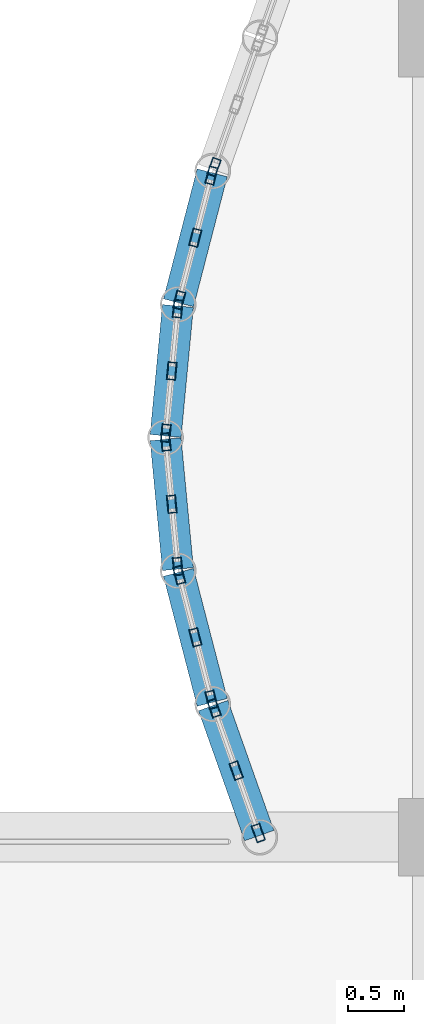
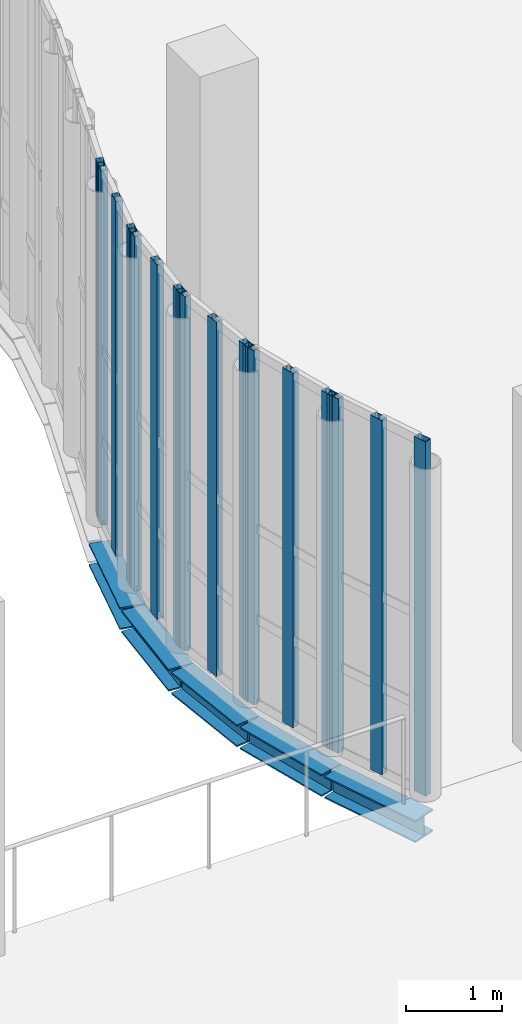
# One storey, part 19 of 108: 16 members, 5 beams, 6 elements without a shape of their own.
"""IFC4 building model written with IfcOpenShell, lengths in metres."""

from ifc_helpers import new_model, si_unit, direction, frame, origin, origin_2d, place, context, subcontext, project, spatial, hollow_rectangle, i_section, extrude, material, layer, layer_set, material_profile, profile_set, type_object, element, aggregate, save


model = new_model("IFC4")

# Units and contexts
model_context = context("Model", 3, precision=1e-05, world=origin(), true_north=direction((0.0, 1.0)))
body_context = subcontext(model_context, "Body", "Model", "MODEL_VIEW")
ifc_project = project(units=[si_unit("LENGTHUNIT", "METRE"), si_unit("AREAUNIT", "SQUARE_METRE"), si_unit("VOLUMEUNIT", "CUBIC_METRE"), si_unit("PLANEANGLEUNIT", "RADIAN"), si_unit("MASSUNIT", "GRAM", prefix="KILO"), si_unit("THERMODYNAMICTEMPERATUREUNIT", "KELVIN"), si_unit("POWERUNIT", "WATT")], contexts=[model_context])

# Site, building, storey
site_placement = place(None, origin())
site = spatial("IfcSite", under=ifc_project, at=site_placement, CompositionType="ELEMENT")
building_placement = place(site_placement, origin())
building = spatial("IfcBuilding", under=site, at=building_placement, Name="Kaldorven Railside Theatre", CompositionType="ELEMENT")
storey_placement = place(building_placement, frame((0.0, 0.0, 5.39990234375)))
storey = spatial("IfcBuildingStorey", under=building, at=storey_placement, Name="L01", CompositionType="ELEMENT", Elevation=5.39990234375)

# Beams
ifc_material_1 = material(Name="Steel S355", Category="steel")
ifc_material_profile_1 = material_profile(ifc_material_1, i_section(OverallWidth=0.280029296875, OverallDepth=0.280029296875, WebThickness=0.010498046875, FlangeThickness=0.01806640625, at=origin_2d()), Name="HEB 280")
ifc_profile_set_1 = profile_set([ifc_material_profile_1], Name="Steel S355")
beam_type = type_object("IfcBeamType", Name="BM-HEB280", PredefinedType="SPANDREL", material=ifc_profile_set_1)
beam_1_placement = place(storey_placement, frame((71.195068359375, 40.814208984375, -0.419921875), z_axis=(-0.333908952671, 0.942605331688, 0.0), x_axis=(-0.942605331688, -0.333908952671, 0.0)))
element("IfcBeam", 1, at=beam_1_placement, inside=storey, type_object=beam_type, Name="L01 Sinusoidal Flute Edge Spandrel FSB-217", PredefinedType="SPANDREL", context=body_context, shape_type="SweptSolid", body=[
    extrude(i_section(OverallWidth=0.280029296875, OverallDepth=0.280029296875, WebThickness=0.010498046875, FlangeThickness=0.01806640625, at=origin_2d()), origin(), (0.0, 0.0, 1.0), 1.242919921875),
])
beam_2_placement = place(storey_placement, frame((70.771240234375, 42.014404296875, -0.419921875), z_axis=(-0.250836097156, 0.96802957205, 0.0), x_axis=(-0.96802957205, -0.250836097156, 0.0)))
element("IfcBeam", 2, at=beam_2_placement, inside=storey, type_object=beam_type, Name="L01 Sinusoidal Flute Edge Spandrel FSB-218", PredefinedType="SPANDREL", context=body_context, shape_type="SweptSolid", body=[
    extrude(i_section(OverallWidth=0.280029296875, OverallDepth=0.280029296875, WebThickness=0.010498046875, FlangeThickness=0.01806640625, at=origin_2d()), origin(), (0.0, 0.0, 1.0), 1.209716796875),
])
beam_3_placement = place(storey_placement, frame((70.46240234375, 43.21484375, -0.419921875), z_axis=(-0.094505233873, 0.99552436473, 0.0), x_axis=(-0.99552436473, -0.094505233873, 0.0)))
element("IfcBeam", 3, at=beam_3_placement, inside=storey, type_object=beam_type, Name="L01 Sinusoidal Flute Edge Spandrel FSB-219", PredefinedType="SPANDREL", context=body_context, shape_type="SweptSolid", body=[
    extrude(i_section(OverallWidth=0.280029296875, OverallDepth=0.280029296875, WebThickness=0.010498046875, FlangeThickness=0.01806640625, at=origin_2d()), origin(), (0.0, 0.0, 1.0), 1.175537109375),
])
beam_4_placement = place(storey_placement, frame((70.351318359375, 44.414794921875, -0.419921875), z_axis=(0.09448569665, 0.995526219207, 0.0), x_axis=(-0.995526219207, 0.09448569665, 0.0)))
element("IfcBeam", 4, at=beam_4_placement, inside=storey, type_object=beam_type, Name="L01 Sinusoidal Flute Edge Spandrel FSB-220", PredefinedType="SPANDREL", context=body_context, shape_type="SweptSolid", body=[
    extrude(i_section(OverallWidth=0.280029296875, OverallDepth=0.280029296875, WebThickness=0.010498046875, FlangeThickness=0.01806640625, at=origin_2d()), origin(), (0.0, 0.0, 1.0), 1.17578125),
])
beam_5_placement = place(storey_placement, frame((70.4677734375, 45.614501953125, -0.419921875), z_axis=(0.250885106576, 0.968016871391, 0.0), x_axis=(-0.968016871391, 0.250885106576, 0.0)))
element("IfcBeam", 5, at=beam_5_placement, inside=storey, type_object=beam_type, Name="L01 Sinusoidal Flute Edge Spandrel FSB-221", PredefinedType="SPANDREL", context=body_context, shape_type="SweptSolid", body=[
    extrude(i_section(OverallWidth=0.280029296875, OverallDepth=0.280029296875, WebThickness=0.010498046875, FlangeThickness=0.01806640625, at=origin_2d()), origin(), (0.0, 0.0, 1.0), 1.20947265625),
])

# Curtain wall, members
ifc_material_2 = material(Name="Low-E laminated solar-control glass", Category="glass")
ifc_layer_1 = layer(ifc_material_2, 0.159912109375, Name="Low-E laminated solar-control glass")
ifc_layer_set_1 = layer_set([ifc_layer_1], Name="Low-E laminated solar-control glass")
curtain_wall_type_1 = type_object("IfcCurtainWallType", Name="CWT-01", PredefinedType="USERDEFINED", material=ifc_layer_set_1)
curtain_wall_1_placement = place(storey_placement, origin())
curtain_wall_1 = element("IfcCurtainWall", 6, at=curtain_wall_1_placement, inside=storey, type_object=curtain_wall_type_1, Name="Sinusoidal Fluted Curtain Wall CW-L01-W01", ObjectType="FLUTED GLAZING", PredefinedType="USERDEFINED")
ifc_material_3 = material(Name="Anodised bronze aluminium", Category="aluminium")
ifc_material_profile_2 = material_profile(ifc_material_3, hollow_rectangle(XDim=0.080078125, YDim=0.159912109375, WallThickness=0.00634765625, at=origin_2d()), Name="RHS 160x80x6.3")
ifc_profile_set_2 = profile_set([ifc_material_profile_2], Name="Anodised bronze aluminium")
member_type = type_object("IfcMemberType", Name="CWM-160", PredefinedType="MULLION", material=ifc_profile_set_2)
member_1_placement = place(storey_placement, frame((71.186767578125, 40.837646484375, 0.0), z_axis=(0.0, 0.0, 1.0), x_axis=(-0.942627225159, -0.33384714225, 0.0)))
member_1 = element("IfcMember", 7, at=member_1_placement, type_object=member_type, Name="CW-L01-W01 mullion 1", PredefinedType="MULLION", context=body_context, shape_type="SweptSolid", body=[
    extrude(hollow_rectangle(XDim=0.080078125, YDim=0.159912109375, WallThickness=0.00634765625, at=origin_2d()), origin(), (0.0, 0.0, 1.0), 4.5),
])
member_2_placement = place(storey_placement, frame((70.987548828125, 41.39990234375, 0.0), z_axis=(0.0, 0.0, 1.0), x_axis=(-0.942627225159, -0.33384714225, 0.0)))
member_2 = element("IfcMember", 8, at=member_2_placement, type_object=member_type, Name="CW-L01-W01 mullion 2", PredefinedType="MULLION", context=body_context, shape_type="SweptSolid", body=[
    extrude(hollow_rectangle(XDim=0.080078125, YDim=0.159912109375, WallThickness=0.00634765625, at=origin_2d()), origin(), (0.0, 0.0, 1.0), 4.5),
])
member_3_placement = place(storey_placement, frame((70.788330078125, 41.96240234375, 0.0), z_axis=(0.0, 0.0, 1.0), x_axis=(-0.942627225159, -0.33384714225, 0.0)))
member_3 = element("IfcMember", 9, at=member_3_placement, type_object=member_type, Name="CW-L01-W01 mullion 3", PredefinedType="MULLION", context=body_context, shape_type="SweptSolid", body=[
    extrude(hollow_rectangle(XDim=0.080078125, YDim=0.159912109375, WallThickness=0.00634765625, at=origin_2d()), origin(), (0.0, 0.0, 1.0), 4.5),
])
aggregate(curtain_wall_1, [member_1, member_2, member_3])

ifc_layer_2 = layer(ifc_material_2, 0.159912109375, Name="Low-E laminated solar-control glass")
ifc_layer_set_2 = layer_set([ifc_layer_2], Name="Low-E laminated solar-control glass")
curtain_wall_type_2 = type_object("IfcCurtainWallType", Name="CWT-02", PredefinedType="USERDEFINED", material=ifc_layer_set_2)
curtain_wall_2_placement = place(storey_placement, origin())
curtain_wall_2 = element("IfcCurtainWall", 10, at=curtain_wall_2_placement, inside=storey, type_object=curtain_wall_type_2, Name="Sinusoidal Fluted Curtain Wall CW-L01-W02", ObjectType="FLUTED GLAZING", PredefinedType="USERDEFINED")
member_4_placement = place(storey_placement, frame((70.764892578125, 42.038818359375, 0.0), z_axis=(0.0, 0.0, 1.0), x_axis=(-0.967999075505, -0.250953760326, 0.0)))
member_4 = element("IfcMember", 11, at=member_4_placement, type_object=member_type, Name="CW-L01-W02 mullion 1", PredefinedType="MULLION", context=body_context, shape_type="SweptSolid", body=[
    extrude(hollow_rectangle(XDim=0.080078125, YDim=0.159912109375, WallThickness=0.00634765625, at=origin_2d()), origin(), (0.0, 0.0, 1.0), 4.5),
])
member_5_placement = place(storey_placement, frame((70.619384765625, 42.60009765625, 0.0), z_axis=(0.0, 0.0, 1.0), x_axis=(-0.967999075505, -0.250953760326, 0.0)))
member_5 = element("IfcMember", 12, at=member_5_placement, type_object=member_type, Name="CW-L01-W02 mullion 2", PredefinedType="MULLION", context=body_context, shape_type="SweptSolid", body=[
    extrude(hollow_rectangle(XDim=0.080078125, YDim=0.159912109375, WallThickness=0.00634765625, at=origin_2d()), origin(), (0.0, 0.0, 1.0), 4.5),
])
member_6_placement = place(storey_placement, frame((70.473876953125, 43.161376953125, 0.0), z_axis=(0.0, 0.0, 1.0), x_axis=(-0.967999075505, -0.250953760326, 0.0)))
member_6 = element("IfcMember", 13, at=member_6_placement, type_object=member_type, Name="CW-L01-W02 mullion 3", PredefinedType="MULLION", context=body_context, shape_type="SweptSolid", body=[
    extrude(hollow_rectangle(XDim=0.080078125, YDim=0.159912109375, WallThickness=0.00634765625, at=origin_2d()), origin(), (0.0, 0.0, 1.0), 4.5),
])
aggregate(curtain_wall_2, [member_4, member_5, member_6])

ifc_layer_3 = layer(ifc_material_2, 0.159912109375, Name="Low-E laminated solar-control glass")
ifc_layer_set_3 = layer_set([ifc_layer_3], Name="Low-E laminated solar-control glass")
curtain_wall_type_3 = type_object("IfcCurtainWallType", Name="CWT-03", PredefinedType="USERDEFINED", material=ifc_layer_set_3)
curtain_wall_3_placement = place(storey_placement, origin())
curtain_wall_3 = element("IfcCurtainWall", 14, at=curtain_wall_3_placement, inside=storey, type_object=curtain_wall_type_3, Name="Sinusoidal Fluted Curtain Wall CW-L01-W03", ObjectType="FLUTED GLAZING", PredefinedType="USERDEFINED")
member_7_placement = place(storey_placement, frame((70.460205078125, 43.23974609375, 0.0), z_axis=(0.0, 0.0, 1.0), x_axis=(-0.995525623425, -0.094491973758, 0.0)))
member_7 = element("IfcMember", 15, at=member_7_placement, type_object=member_type, Name="CW-L01-W03 mullion 1", PredefinedType="MULLION", context=body_context, shape_type="SweptSolid", body=[
    extrude(hollow_rectangle(XDim=0.080078125, YDim=0.159912109375, WallThickness=0.00634765625, at=origin_2d()), origin(), (0.0, 0.0, 1.0), 4.5),
])
member_8_placement = place(storey_placement, frame((70.406982421875, 43.800048828125, 0.0), z_axis=(0.0, 0.0, 1.0), x_axis=(-0.995525623425, -0.094491973758, 0.0)))
member_8 = element("IfcMember", 16, at=member_8_placement, type_object=member_type, Name="CW-L01-W03 mullion 2", PredefinedType="MULLION", context=body_context, shape_type="SweptSolid", body=[
    extrude(hollow_rectangle(XDim=0.080078125, YDim=0.159912109375, WallThickness=0.00634765625, at=origin_2d()), origin(), (0.0, 0.0, 1.0), 4.5),
])
member_9_placement = place(storey_placement, frame((70.353759765625, 44.360107421875, 0.0), z_axis=(0.0, 0.0, 1.0), x_axis=(-0.995525623425, -0.094491973758, 0.0)))
member_9 = element("IfcMember", 17, at=member_9_placement, type_object=member_type, Name="CW-L01-W03 mullion 3", PredefinedType="MULLION", context=body_context, shape_type="SweptSolid", body=[
    extrude(hollow_rectangle(XDim=0.080078125, YDim=0.159912109375, WallThickness=0.00634765625, at=origin_2d()), origin(), (0.0, 0.0, 1.0), 4.5),
])
aggregate(curtain_wall_3, [member_7, member_8, member_9])

curtain_wall_4_placement = place(storey_placement, origin())
curtain_wall_4 = element("IfcCurtainWall", 18, at=curtain_wall_4_placement, inside=storey, type_object=curtain_wall_type_3, Name="Sinusoidal Fluted Curtain Wall CW-L01-W04", ObjectType="FLUTED GLAZING", PredefinedType="USERDEFINED")
member_10_placement = place(storey_placement, frame((70.353759765625, 44.43994140625, 0.0), z_axis=(0.0, 0.0, 1.0), x_axis=(-0.995525623425, 0.094491973758, 0.0)))
member_10 = element("IfcMember", 19, at=member_10_placement, type_object=member_type, Name="CW-L01-W04 mullion 1", PredefinedType="MULLION", context=body_context, shape_type="SweptSolid", body=[
    extrude(hollow_rectangle(XDim=0.080078125, YDim=0.159912109375, WallThickness=0.00634765625, at=origin_2d()), origin(), (0.0, 0.0, 1.0), 4.5),
])
member_11_placement = place(storey_placement, frame((70.406982421875, 45.0, 0.0), z_axis=(0.0, 0.0, 1.0), x_axis=(-0.995525623425, 0.094491973758, 0.0)))
member_11 = element("IfcMember", 20, at=member_11_placement, type_object=member_type, Name="CW-L01-W04 mullion 2", PredefinedType="MULLION", context=body_context, shape_type="SweptSolid", body=[
    extrude(hollow_rectangle(XDim=0.080078125, YDim=0.159912109375, WallThickness=0.00634765625, at=origin_2d()), origin(), (0.0, 0.0, 1.0), 4.5),
])
member_12_placement = place(storey_placement, frame((70.460205078125, 45.56005859375, 0.0), z_axis=(0.0, 0.0, 1.0), x_axis=(-0.995525623425, 0.094491973758, 0.0)))
member_12 = element("IfcMember", 21, at=member_12_placement, type_object=member_type, Name="CW-L01-W04 mullion 3", PredefinedType="MULLION", context=body_context, shape_type="SweptSolid", body=[
    extrude(hollow_rectangle(XDim=0.080078125, YDim=0.159912109375, WallThickness=0.00634765625, at=origin_2d()), origin(), (0.0, 0.0, 1.0), 4.5),
])
aggregate(curtain_wall_4, [member_10, member_11, member_12])

curtain_wall_5_placement = place(storey_placement, origin())
curtain_wall_5 = element("IfcCurtainWall", 22, at=curtain_wall_5_placement, inside=storey, type_object=curtain_wall_type_2, Name="Sinusoidal Fluted Curtain Wall CW-L01-W05", ObjectType="FLUTED GLAZING", PredefinedType="USERDEFINED")
member_13_placement = place(storey_placement, frame((70.473876953125, 45.638671875, 0.0), z_axis=(0.0, 0.0, 1.0), x_axis=(-0.967999075505, 0.250953760326, 0.0)))
member_13 = element("IfcMember", 23, at=member_13_placement, type_object=member_type, Name="CW-L01-W05 mullion 1", PredefinedType="MULLION", context=body_context, shape_type="SweptSolid", body=[
    extrude(hollow_rectangle(XDim=0.080078125, YDim=0.159912109375, WallThickness=0.00634765625, at=origin_2d()), origin(), (0.0, 0.0, 1.0), 4.5),
])
member_14_placement = place(storey_placement, frame((70.619384765625, 46.199951171875, 0.0), z_axis=(0.0, 0.0, 1.0), x_axis=(-0.967999075505, 0.250953760326, 0.0)))
member_14 = element("IfcMember", 24, at=member_14_placement, type_object=member_type, Name="CW-L01-W05 mullion 2", PredefinedType="MULLION", context=body_context, shape_type="SweptSolid", body=[
    extrude(hollow_rectangle(XDim=0.080078125, YDim=0.159912109375, WallThickness=0.00634765625, at=origin_2d()), origin(), (0.0, 0.0, 1.0), 4.5),
])
member_15_placement = place(storey_placement, frame((70.764892578125, 46.76123046875, 0.0), z_axis=(0.0, 0.0, 1.0), x_axis=(-0.967999075505, 0.250953760326, 0.0)))
member_15 = element("IfcMember", 25, at=member_15_placement, type_object=member_type, Name="CW-L01-W05 mullion 3", PredefinedType="MULLION", context=body_context, shape_type="SweptSolid", body=[
    extrude(hollow_rectangle(XDim=0.080078125, YDim=0.159912109375, WallThickness=0.00634765625, at=origin_2d()), origin(), (0.0, 0.0, 1.0), 4.5),
])
aggregate(curtain_wall_5, [member_13, member_14, member_15])

# Curtain wall, member
curtain_wall_6_placement = place(storey_placement, origin())
curtain_wall_6 = element("IfcCurtainWall", 26, at=curtain_wall_6_placement, inside=storey, type_object=curtain_wall_type_1, Name="Sinusoidal Fluted Curtain Wall CW-L01-W06", ObjectType="FLUTED GLAZING", PredefinedType="USERDEFINED")
member_16_placement = place(storey_placement, frame((70.788330078125, 46.837646484375, 0.0), z_axis=(0.0, 0.0, 1.0), x_axis=(-0.942627225159, 0.33384714225, 0.0)))
member_16 = element("IfcMember", 27, at=member_16_placement, type_object=member_type, Name="CW-L01-W06 mullion 1", PredefinedType="MULLION", context=body_context, shape_type="SweptSolid", body=[
    extrude(hollow_rectangle(XDim=0.080078125, YDim=0.159912109375, WallThickness=0.00634765625, at=origin_2d()), origin(), (0.0, 0.0, 1.0), 4.5),
])
aggregate(curtain_wall_6, [member_16])

save(model, "model.ifc")
